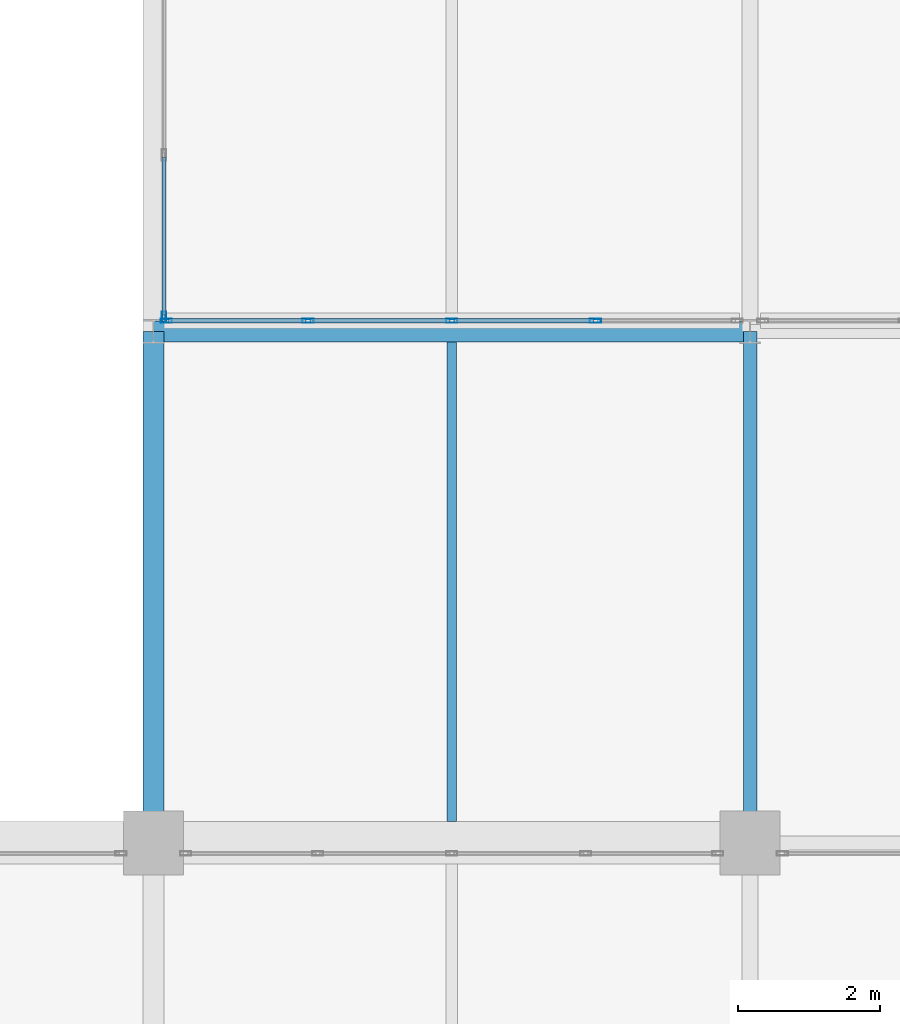
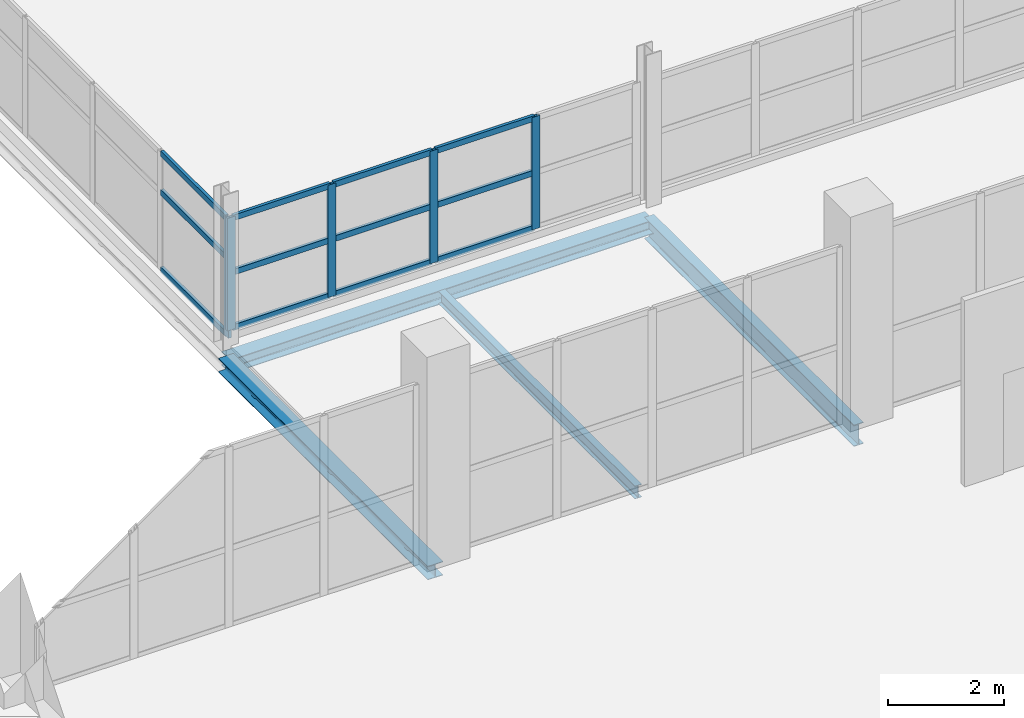
# One storey, part 19 of 103: 17 members, 4 beams, 2 elements without a shape of their own.
"""IFC4 building model written with IfcOpenShell, lengths in metres."""

from ifc_helpers import new_model, si_unit, direction, frame, origin, origin_2d, place, context, subcontext, project, spatial, hollow_rectangle, i_section, extrude, material, material_profile, profile_set, type_object, element, aggregate, save


model = new_model("IFC4")

# Units and contexts
model_context = context("Model", 3, precision=1e-05, world=origin(), true_north=direction((0.0, 1.0)))
body_context = subcontext(model_context, "Body", "Model", "MODEL_VIEW")
ifc_project = project(units=[si_unit("LENGTHUNIT", "METRE"), si_unit("AREAUNIT", "SQUARE_METRE"), si_unit("VOLUMEUNIT", "CUBIC_METRE"), si_unit("PLANEANGLEUNIT", "RADIAN"), si_unit("MASSUNIT", "GRAM", prefix="KILO")], contexts=[model_context])

# Site, building, storey
site_placement = place(None, origin())
site = spatial("IfcSite", under=ifc_project, at=site_placement, CompositionType="ELEMENT")
building_placement = place(site_placement, origin())
building = spatial("IfcBuilding", under=site, at=building_placement, Name="Veltarok Museum of Natural Sciences", CompositionType="ELEMENT")
storey_placement = place(building_placement, frame((0.0, 0.0, 21.89990234375)))
storey = spatial("IfcBuildingStorey", under=building, at=storey_placement, Name="L04", CompositionType="ELEMENT", Elevation=21.89990234375)

# Curtain wall, members
ifc_material_1 = material(Name="Low-iron triple insulated glass", Category="glass")
curtain_wall_type_1 = type_object("IfcCurtainWallType", Name="Curtain Wall System CW-V2W-L04-3-926x249 (CW-V2W L04 926x249cm)", PredefinedType="NOTDEFINED", material=ifc_material_1)
curtain_wall_1_placement = place(storey_placement, origin())
curtain_wall_1 = element("IfcCurtainWall", 1, at=curtain_wall_1_placement, inside=storey, type_object=curtain_wall_type_1, Name="Curtain Wall CW-V2W-L04-3-926x249 CW-0147", PredefinedType="NOTDEFINED")
ifc_material_2 = material(Name="Thermally broken anodised aluminium", Category="aluminium")
ifc_material_profile_1 = material_profile(ifc_material_2, hollow_rectangle(XDim=0.06005859375, YDim=0.1201171875, WallThickness=0.0048828125, at=origin_2d()), Name="CW TRANSOM 60x120x5")
ifc_profile_set_1 = profile_set([ifc_material_profile_1], Name="Thermally broken anodised aluminium")
member_type_1 = type_object("IfcMemberType", Name="Curtain Wall Horizontal Transom 60x120x5", PredefinedType="USERDEFINED", material=ifc_profile_set_1)
member_1_placement = place(storey_placement, frame((40.14990234375, 26.6298828125, 0.028076171875), z_axis=(0.0, 1.0, 0.0), x_axis=(-1.0, 0.0, 0.0)))
member_1 = element("IfcMember", 2, at=member_1_placement, type_object=member_type_1, Name="CW-V2W-L04-3-926x249 transom 1.1", ObjectType="TRANSOM", PredefinedType="USERDEFINED", context=body_context, shape_type="SweptSolid", body=[
    extrude(hollow_rectangle(XDim=0.06005859375, YDim=0.1201171875, WallThickness=0.0048828125, at=origin_2d()), origin(), (0.0, 0.0, 1.0), 2.22509765625),
])
member_2_placement = place(storey_placement, frame((40.14990234375, 26.6298828125, 1.648193359375), z_axis=(0.0, 1.0, 0.0), x_axis=(-1.0, 0.0, 0.0)))
member_2 = element("IfcMember", 3, at=member_2_placement, type_object=member_type_1, Name="CW-V2W-L04-3-926x249 transom 1.2", ObjectType="TRANSOM", PredefinedType="USERDEFINED", context=body_context, shape_type="SweptSolid", body=[
    extrude(hollow_rectangle(XDim=0.06005859375, YDim=0.1201171875, WallThickness=0.0048828125, at=origin_2d()), origin(), (0.0, 0.0, 1.0), 2.22509765625),
])
member_3_placement = place(storey_placement, frame((40.14990234375, 26.6298828125, 2.460205078125), z_axis=(0.0, 1.0, 0.0), x_axis=(-1.0, 0.0, 0.0)))
member_3 = element("IfcMember", 4, at=member_3_placement, type_object=member_type_1, Name="CW-V2W-L04-3-926x249 transom 1.3", ObjectType="TRANSOM", PredefinedType="USERDEFINED", context=body_context, shape_type="SweptSolid", body=[
    extrude(hollow_rectangle(XDim=0.06005859375, YDim=0.1201171875, WallThickness=0.0048828125, at=origin_2d()), origin(), (0.0, 0.0, 1.0), 2.22509765625),
])

curtain_wall_type_2 = type_object("IfcCurtainWallType", Name="Curtain Wall System CW-V2S-L04-810x236 (V2 South Setback L04 810x236cm)", PredefinedType="NOTDEFINED", material=ifc_material_1)
curtain_wall_2_placement = place(storey_placement, origin())
curtain_wall_2 = element("IfcCurtainWall", 5, at=curtain_wall_2_placement, inside=storey, type_object=curtain_wall_type_2, Name="Curtain Wall CW-V2S-L04-810x236 CW-0223", PredefinedType="NOTDEFINED")
member_4_placement = place(storey_placement, frame((40.2099609375, 26.550048828125, 0.190185546875), z_axis=(1.0, 0.0, 0.0), x_axis=(0.0, 1.0, 0.0)))
member_4 = element("IfcMember", 6, at=member_4_placement, type_object=member_type_1, Name="CW-V2S-L04-810x236 transom 1.1", ObjectType="TRANSOM", PredefinedType="USERDEFINED", context=body_context, shape_type="SweptSolid", body=[
    extrude(hollow_rectangle(XDim=0.06005859375, YDim=0.1201171875, WallThickness=0.0048828125, at=origin_2d()), origin(), (0.0, 0.0, 1.0), 1.93505859375),
])
member_5_placement = place(storey_placement, frame((40.2099609375, 26.550048828125, 1.35009765625), z_axis=(1.0, 0.0, 0.0), x_axis=(0.0, 1.0, 0.0)))
member_5 = element("IfcMember", 7, at=member_5_placement, type_object=member_type_1, Name="CW-V2S-L04-810x236 transom 1.2", ObjectType="TRANSOM", PredefinedType="USERDEFINED", context=body_context, shape_type="SweptSolid", body=[
    extrude(hollow_rectangle(XDim=0.06005859375, YDim=0.1201171875, WallThickness=0.0048828125, at=origin_2d()), origin(), (0.0, 0.0, 1.0), 1.93505859375),
])
member_6_placement = place(storey_placement, frame((40.2099609375, 26.550048828125, 2.489990234375), z_axis=(1.0, 0.0, 0.0), x_axis=(0.0, 1.0, 0.0)))
member_6 = element("IfcMember", 8, at=member_6_placement, type_object=member_type_1, Name="CW-V2S-L04-810x236 transom 1.3", ObjectType="TRANSOM", PredefinedType="USERDEFINED", context=body_context, shape_type="SweptSolid", body=[
    extrude(hollow_rectangle(XDim=0.06005859375, YDim=0.1201171875, WallThickness=0.0048828125, at=origin_2d()), origin(), (0.0, 0.0, 1.0), 1.93505859375),
])
member_7_placement = place(storey_placement, frame((42.205078125, 26.550048828125, 0.190185546875), z_axis=(1.0, 0.0, 0.0), x_axis=(0.0, 1.0, 0.0)))
member_7 = element("IfcMember", 9, at=member_7_placement, type_object=member_type_1, Name="CW-V2S-L04-810x236 transom 2.1", ObjectType="TRANSOM", PredefinedType="USERDEFINED", context=body_context, shape_type="SweptSolid", body=[
    extrude(hollow_rectangle(XDim=0.06005859375, YDim=0.1201171875, WallThickness=0.0048828125, at=origin_2d()), origin(), (0.0, 0.0, 1.0), 1.96484375),
])
member_8_placement = place(storey_placement, frame((42.205078125, 26.550048828125, 1.35009765625), z_axis=(1.0, 0.0, 0.0), x_axis=(0.0, 1.0, 0.0)))
member_8 = element("IfcMember", 10, at=member_8_placement, type_object=member_type_1, Name="CW-V2S-L04-810x236 transom 2.2", ObjectType="TRANSOM", PredefinedType="USERDEFINED", context=body_context, shape_type="SweptSolid", body=[
    extrude(hollow_rectangle(XDim=0.06005859375, YDim=0.1201171875, WallThickness=0.0048828125, at=origin_2d()), origin(), (0.0, 0.0, 1.0), 1.96484375),
])
member_9_placement = place(storey_placement, frame((42.205078125, 26.550048828125, 2.489990234375), z_axis=(1.0, 0.0, 0.0), x_axis=(0.0, 1.0, 0.0)))
member_9 = element("IfcMember", 11, at=member_9_placement, type_object=member_type_1, Name="CW-V2S-L04-810x236 transom 2.3", ObjectType="TRANSOM", PredefinedType="USERDEFINED", context=body_context, shape_type="SweptSolid", body=[
    extrude(hollow_rectangle(XDim=0.06005859375, YDim=0.1201171875, WallThickness=0.0048828125, at=origin_2d()), origin(), (0.0, 0.0, 1.0), 1.96484375),
])
member_10_placement = place(storey_placement, frame((44.22998046875, 26.550048828125, 0.190185546875), z_axis=(1.0, 0.0, 0.0), x_axis=(0.0, 1.0, 0.0)))
member_10 = element("IfcMember", 12, at=member_10_placement, type_object=member_type_1, Name="CW-V2S-L04-810x236 transom 3.1", ObjectType="TRANSOM", PredefinedType="USERDEFINED", context=body_context, shape_type="SweptSolid", body=[
    extrude(hollow_rectangle(XDim=0.06005859375, YDim=0.1201171875, WallThickness=0.0048828125, at=origin_2d()), origin(), (0.0, 0.0, 1.0), 1.965087890625),
])
member_11_placement = place(storey_placement, frame((44.22998046875, 26.550048828125, 1.35009765625), z_axis=(1.0, 0.0, 0.0), x_axis=(0.0, 1.0, 0.0)))
member_11 = element("IfcMember", 13, at=member_11_placement, type_object=member_type_1, Name="CW-V2S-L04-810x236 transom 3.2", ObjectType="TRANSOM", PredefinedType="USERDEFINED", context=body_context, shape_type="SweptSolid", body=[
    extrude(hollow_rectangle(XDim=0.06005859375, YDim=0.1201171875, WallThickness=0.0048828125, at=origin_2d()), origin(), (0.0, 0.0, 1.0), 1.965087890625),
])
member_12_placement = place(storey_placement, frame((44.22998046875, 26.550048828125, 2.489990234375), z_axis=(1.0, 0.0, 0.0), x_axis=(0.0, 1.0, 0.0)))
member_12 = element("IfcMember", 14, at=member_12_placement, type_object=member_type_1, Name="CW-V2S-L04-810x236 transom 3.3", ObjectType="TRANSOM", PredefinedType="USERDEFINED", context=body_context, shape_type="SweptSolid", body=[
    extrude(hollow_rectangle(XDim=0.06005859375, YDim=0.1201171875, WallThickness=0.0048828125, at=origin_2d()), origin(), (0.0, 0.0, 1.0), 1.965087890625),
])

# Member
ifc_material_profile_2 = material_profile(ifc_material_2, hollow_rectangle(XDim=0.06005859375, YDim=0.159912109375, WallThickness=0.0048828125, at=origin_2d()), Name="CW MULLION 60x160x5")
ifc_profile_set_2 = profile_set([ifc_material_profile_2], Name="Thermally broken anodised aluminium")
member_type_2 = type_object("IfcMemberType", Name="Curtain Wall Vertical Mullion 60x160x5", PredefinedType="MULLION", material=ifc_profile_set_2)
member_13_placement = place(storey_placement, frame((40.14990234375, 26.60009765625, -0.001953125), z_axis=(0.0, 0.0, 1.0), x_axis=(-1.0, 0.0, 0.0)))
member_13 = element("IfcMember", 15, at=member_13_placement, type_object=member_type_2, Name="CW-V2W-L04-3-926x249 mullion 1", PredefinedType="MULLION", context=body_context, shape_type="SweptSolid", body=[
    extrude(hollow_rectangle(XDim=0.06005859375, YDim=0.159912109375, WallThickness=0.0048828125, at=origin_2d()), origin(), (0.0, 0.0, 1.0), 2.491943359375),
])

aggregate(curtain_wall_1, [member_13, member_1, member_2, member_3])

member_14_placement = place(storey_placement, frame((40.179931640625, 26.550048828125, 0.16015625), z_axis=(0.0, 0.0, 1.0), x_axis=(0.0, 1.0, 0.0)))
member_14 = element("IfcMember", 16, at=member_14_placement, type_object=member_type_2, Name="CW-V2S-L04-810x236 mullion 1", PredefinedType="MULLION", context=body_context, shape_type="SweptSolid", body=[
    extrude(hollow_rectangle(XDim=0.06005859375, YDim=0.159912109375, WallThickness=0.0048828125, at=origin_2d()), origin(), (0.0, 0.0, 1.0), 2.35986328125),
])

member_15_placement = place(storey_placement, frame((42.175048828125, 26.550048828125, 0.16015625), z_axis=(0.0, 0.0, 1.0), x_axis=(0.0, 1.0, 0.0)))
member_15 = element("IfcMember", 17, at=member_15_placement, type_object=member_type_2, Name="CW-V2S-L04-810x236 mullion 2", PredefinedType="MULLION", context=body_context, shape_type="SweptSolid", body=[
    extrude(hollow_rectangle(XDim=0.06005859375, YDim=0.159912109375, WallThickness=0.0048828125, at=origin_2d()), origin(), (0.0, 0.0, 1.0), 2.35986328125),
])

member_16_placement = place(storey_placement, frame((44.199951171875, 26.550048828125, 0.16015625), z_axis=(0.0, 0.0, 1.0), x_axis=(0.0, 1.0, 0.0)))
member_16 = element("IfcMember", 18, at=member_16_placement, type_object=member_type_2, Name="CW-V2S-L04-810x236 mullion 3", PredefinedType="MULLION", context=body_context, shape_type="SweptSolid", body=[
    extrude(hollow_rectangle(XDim=0.06005859375, YDim=0.159912109375, WallThickness=0.0048828125, at=origin_2d()), origin(), (0.0, 0.0, 1.0), 2.35986328125),
])

member_17_placement = place(storey_placement, frame((46.22509765625, 26.550048828125, 0.16015625), z_axis=(0.0, 0.0, 1.0), x_axis=(0.0, 1.0, 0.0)))
member_17 = element("IfcMember", 19, at=member_17_placement, type_object=member_type_2, Name="CW-V2S-L04-810x236 mullion 4", PredefinedType="MULLION", context=body_context, shape_type="SweptSolid", body=[
    extrude(hollow_rectangle(XDim=0.06005859375, YDim=0.159912109375, WallThickness=0.0048828125, at=origin_2d()), origin(), (0.0, 0.0, 1.0), 2.35986328125),
])

aggregate(curtain_wall_2, [member_14, member_15, member_16, member_17, member_4, member_5, member_6, member_7, member_8, member_9, member_10, member_11, member_12])

# Beams
ifc_material_3 = material(Name="Steel S355J2", Category="steel")
ifc_material_profile_3 = material_profile(ifc_material_3, i_section(OverallWidth=0.300048828125, OverallDepth=0.2900390625, WebThickness=0.008544921875, FlangeThickness=0.013916015625, FilletRadius=0.027099609375, at=origin_2d()), Name="HEA 300")
ifc_profile_set_3 = profile_set([ifc_material_profile_3], Name="Steel S355J2")
beam_type_1 = type_object("IfcBeamType", Name="Glazed Hall Edge Spandrel HEA 300", PredefinedType="SPANDREL", material=ifc_profile_set_3)
beam_1_placement = place(storey_placement, frame((40.0, 26.39990234375, -0.39501953125), z_axis=(1.0, 0.0, 0.0), x_axis=(0.0, 1.0, 0.0)))
element("IfcBeam", 20, at=beam_1_placement, inside=storey, type_object=beam_type_1, Name="Beam BM-SP03 L04 5-6/D", PredefinedType="SPANDREL", context=body_context, shape_type="SweptSolid", body=[
    extrude(i_section(OverallWidth=0.300048828125, OverallDepth=0.2900390625, WebThickness=0.008544921875, FlangeThickness=0.013916015625, FilletRadius=0.027099609375, at=origin_2d()), origin(), (0.0, 0.0, 1.0), 8.39990234375),
])
beam_2_placement = place(storey_placement, frame((40.0, 19.199951171875, -0.39501953125), z_axis=(0.0, 1.0, 0.0), x_axis=(-1.0, 0.0, 0.0)))
element("IfcBeam", 21, at=beam_2_placement, inside=storey, type_object=beam_type_1, Name="Beam BM-SP03 L04 5/C-D", PredefinedType="SPANDREL", context=body_context, shape_type="SweptSolid", body=[
    extrude(i_section(OverallWidth=0.300048828125, OverallDepth=0.2900390625, WebThickness=0.008544921875, FlangeThickness=0.013916015625, FilletRadius=0.027099609375, at=origin_2d()), origin(), (0.0, 0.0, 1.0), 7.199951171875),
])
ifc_material_profile_4 = material_profile(ifc_material_3, i_section(OverallWidth=0.18994140625, OverallDepth=0.449951171875, WebThickness=0.009521484375, FlangeThickness=0.0146484375, FilletRadius=0.02099609375, at=origin_2d()), Name="IPE 450")
ifc_profile_set_4 = profile_set([ifc_material_profile_4], Name="Steel S355J2")
beam_type_2 = type_object("IfcBeamType", Name="Laboratory Floor Girder IPE 450", PredefinedType="BEAM", material=ifc_profile_set_4)
beam_3_placement = place(storey_placement, frame((48.39990234375, 19.199951171875, -0.474853515625), z_axis=(0.0, 1.0, 0.0), x_axis=(-1.0, 0.0, 0.0)))
element("IfcBeam", 22, at=beam_3_placement, inside=storey, type_object=beam_type_2, Name="Beam BM-G05 L04 6/C-D", PredefinedType="BEAM", context=body_context, shape_type="SweptSolid", body=[
    extrude(i_section(OverallWidth=0.18994140625, OverallDepth=0.449951171875, WebThickness=0.009521484375, FlangeThickness=0.0146484375, FilletRadius=0.02099609375, at=origin_2d()), origin(), (0.0, 0.0, 1.0), 7.199951171875),
])
ifc_material_profile_5 = material_profile(ifc_material_3, i_section(OverallWidth=0.135009765625, OverallDepth=0.27001953125, WebThickness=0.006591796875, FlangeThickness=0.01025390625, FilletRadius=0.014892578125, at=origin_2d()), Name="IPE 270")
ifc_profile_set_5 = profile_set([ifc_material_profile_5], Name="Steel S355J2")
beam_type_3 = type_object("IfcBeamType", Name="Short-Bay Composite Joist IPE 270", PredefinedType="JOIST", material=ifc_profile_set_5)
beam_4_placement = place(storey_placement, frame((44.199951171875, 19.498046875, -0.385009765625), z_axis=(0.0, 1.0, 0.0), x_axis=(-1.0, 0.0, 0.0)))
element("IfcBeam", 23, at=beam_4_placement, inside=storey, type_object=beam_type_3, Name="Secondary Joist BM-J04 L04 5-6/C-D.1", PredefinedType="JOIST", context=body_context, shape_type="SweptSolid", body=[
    extrude(i_section(OverallWidth=0.135009765625, OverallDepth=0.27001953125, WebThickness=0.006591796875, FlangeThickness=0.01025390625, FilletRadius=0.014892578125, at=origin_2d()), origin(), (0.0, 0.0, 1.0), 6.75390625),
])

save(model, "model.ifc")
